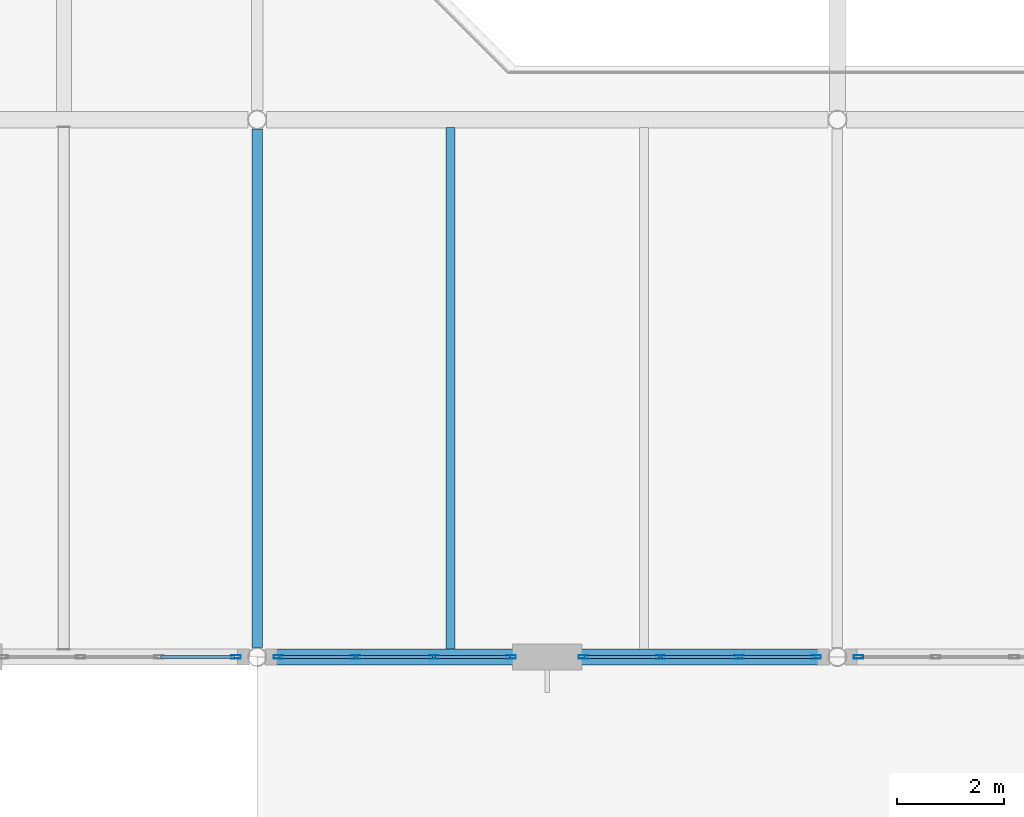
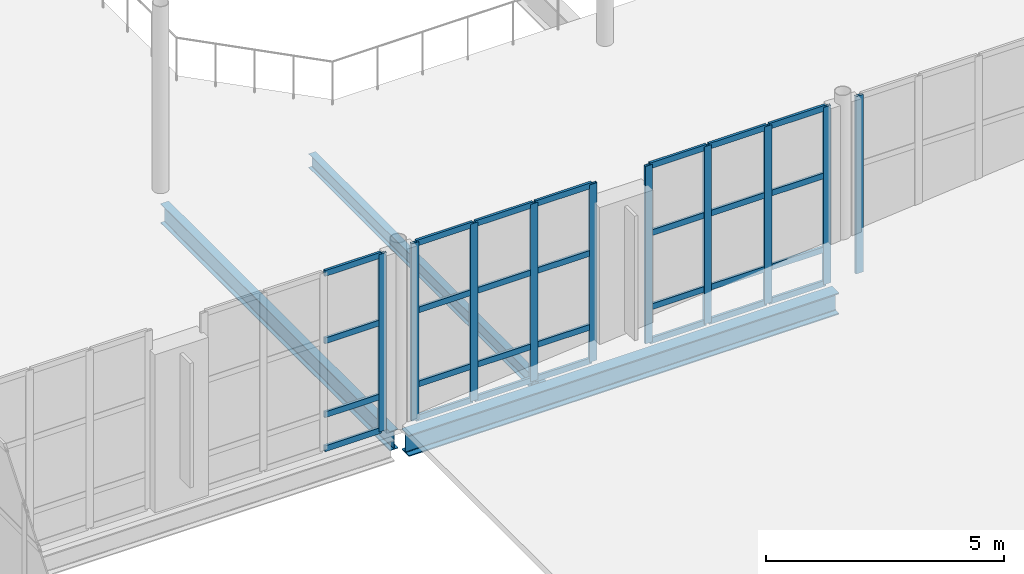
# One storey, part 31 of 92: 38 members, 3 beams, 4 elements without a shape of their own.
"""IFC4 building model written with IfcOpenShell, lengths in metres."""

from ifc_helpers import new_model, si_unit, direction, frame, origin, origin_2d, place, context, subcontext, project, spatial, hollow_rectangle, i_section, extrude, material, layer, layer_set, material_profile, profile_set, type_object, element, aggregate, save


model = new_model("IFC4")

# Units and contexts
model_context = context("Model", 3, precision=1e-05, world=origin(), true_north=direction((0.0, 1.0)))
body_context = subcontext(model_context, "Body", "Model", "MODEL_VIEW")
ifc_project = project(units=[si_unit("LENGTHUNIT", "METRE"), si_unit("AREAUNIT", "SQUARE_METRE"), si_unit("VOLUMEUNIT", "CUBIC_METRE"), si_unit("PLANEANGLEUNIT", "RADIAN"), si_unit("MASSUNIT", "GRAM", prefix="KILO")], contexts=[model_context])

# Site, building, storey
site_placement = place(None, origin())
site = spatial("IfcSite", under=ifc_project, at=site_placement, CompositionType="ELEMENT")
building_placement = place(site_placement, origin())
building = spatial("IfcBuilding", under=site, at=building_placement, Name="Tasgan Crest Museum", CompositionType="ELEMENT")
storey_placement = place(building_placement, frame((0.0, 0.0, 4.800048828125)))
storey = spatial("IfcBuildingStorey", under=building, at=storey_placement, Name="L01", CompositionType="ELEMENT", Elevation=4.800048828125)

# Beams
ifc_material_1 = material(Name="Steel S355K2", Category="steel")
ifc_material_profile_1 = material_profile(ifc_material_1, i_section(OverallWidth=0.300048828125, OverallDepth=0.550048828125, WebThickness=0.014892578125, FlangeThickness=0.029052734375, FilletRadius=0.027099609375, at=origin_2d()), Name="HEB 550")
ifc_profile_set_1 = profile_set([ifc_material_profile_1], Name="Steel S355K2")
beam_type_1 = type_object("IfcBeamType", Name="BM-G-HEB550", PredefinedType="BEAM", material=ifc_profile_set_1)
beam_1_placement = place(storey_placement, frame((64.973876953125, 40.0, -0.51513671875), z_axis=(1.0, 0.0, 0.0), x_axis=(0.0, 1.0, 0.0)))
element("IfcBeam", 1, at=beam_1_placement, inside=storey, type_object=beam_type_1, Name="Girder L01 E 64.8-75.6", PredefinedType="BEAM", context=body_context, shape_type="SweptSolid", body=[
    extrude(i_section(OverallWidth=0.300048828125, OverallDepth=0.550048828125, WebThickness=0.014892578125, FlangeThickness=0.029052734375, FilletRadius=0.027099609375, at=origin_2d()), origin(), (0.0, 0.0, 1.0), 10.452392578125),
])
ifc_material_2 = material(Name="Steel S355J2", Category="steel")
ifc_material_profile_2 = material_profile(ifc_material_2, i_section(OverallWidth=0.199951171875, OverallDepth=0.5, WebThickness=0.01025390625, FlangeThickness=0.01611328125, FilletRadius=0.02099609375, at=origin_2d()), Name="IPE 500")
ifc_profile_set_2 = profile_set([ifc_material_profile_2], Name="Steel S355J2")
beam_type_2 = type_object("IfcBeamType", Name="BM-G-IPE500", PredefinedType="BEAM", material=ifc_profile_set_2)
beam_2_placement = place(storey_placement, frame((64.800048828125, 40.1728515625, -0.489990234375), z_axis=(0.0, 1.0, 0.0), x_axis=(-1.0, 0.0, 0.0)))
element("IfcBeam", 2, at=beam_2_placement, inside=storey, type_object=beam_type_2, Name="Beam L01 7 40.0-50.0", PredefinedType="BEAM", context=body_context, shape_type="SweptSolid", body=[
    extrude(i_section(OverallWidth=0.199951171875, OverallDepth=0.5, WebThickness=0.01025390625, FlangeThickness=0.01611328125, FilletRadius=0.02099609375, at=origin_2d()), origin(), (0.0, 0.0, 1.0), 9.654296875),
])
ifc_material_3 = material(Name="Steel S355J2", Category="steel")
ifc_material_profile_3 = material_profile(ifc_material_3, i_section(OverallWidth=0.169921875, OverallDepth=0.360107421875, WebThickness=0.008056640625, FlangeThickness=0.0126953125, FilletRadius=0.01806640625, at=origin_2d()), Name="IPE 360")
ifc_profile_set_3 = profile_set([ifc_material_profile_3], Name="Steel S355J2")
beam_type_3 = type_object("IfcBeamType", Name="BM-J-IPE360", PredefinedType="JOIST", material=ifc_profile_set_3)
beam_3_placement = place(storey_placement, frame((68.39990234375, 40.14501953125, -0.420166015625), z_axis=(0.0, 1.0, 0.0), x_axis=(-1.0, 0.0, 0.0)))
element("IfcBeam", 3, at=beam_3_placement, inside=storey, type_object=beam_type_3, Name="Secondary joist L01 X=68.4 Y=40.0-50.0", PredefinedType="JOIST", context=body_context, shape_type="SweptSolid", body=[
    extrude(i_section(OverallWidth=0.169921875, OverallDepth=0.360107421875, WebThickness=0.008056640625, FlangeThickness=0.0126953125, FilletRadius=0.01806640625, at=origin_2d()), origin(), (0.0, 0.0, 1.0), 9.7099609375),
])

# Curtain wall, member
ifc_material_4 = material(Name="Triple-Glazed Aluminium Curtain Wall", Category="aluminium")
ifc_layer = layer(ifc_material_4, 0.179931640625, Name="CW-DRUM-X-48")
ifc_layer_set = layer_set([ifc_layer], Name="Triple-Glazed Aluminium Curtain Wall")
curtain_wall_type = type_object("IfcCurtainWallType", Name="CW-DRUM-X-48", PredefinedType="NOTDEFINED", material=ifc_layer_set)
curtain_wall_1_placement = place(storey_placement, origin())
curtain_wall_1 = element("IfcCurtainWall", 4, at=curtain_wall_1_placement, inside=storey, type_object=curtain_wall_type, Name="Curtain wall L01 028", PredefinedType="NOTDEFINED")
ifc_material_5 = material(Name="Anodised Aluminium", Category="aluminium")
ifc_material_profile_4 = material_profile(ifc_material_5, hollow_rectangle(XDim=0.06494140625, YDim=0.179931640625, WallThickness=0.0048828125, at=origin_2d()), Name="ALU MULLION 180x65x5")
ifc_profile_set_4 = profile_set([ifc_material_profile_4], Name="Anodised Aluminium")
member_type_1 = type_object("IfcMemberType", Name="CW-MULLION-180", PredefinedType="MULLION", material=ifc_profile_set_4)
member_1_placement = place(storey_placement, frame((64.405029296875, 40.0, 0.0), z_axis=(0.0, 0.0, 1.0), x_axis=(0.0, 1.0, 0.0)))
member_1 = element("IfcMember", 5, at=member_1_placement, type_object=member_type_1, Name="CW03 mullion 4", PredefinedType="MULLION", context=body_context, shape_type="SweptSolid", body=[
    extrude(hollow_rectangle(XDim=0.06494140625, YDim=0.179931640625, WallThickness=0.0048828125, at=origin_2d()), origin(), (0.0, 0.0, 1.0), 4.56005859375),
])

# Curtain wall, members
curtain_wall_2_placement = place(storey_placement, origin())
curtain_wall_2 = element("IfcCurtainWall", 6, at=curtain_wall_2_placement, inside=storey, type_object=curtain_wall_type, Name="Curtain wall L01 029", PredefinedType="NOTDEFINED")
member_2_placement = place(storey_placement, frame((65.195068359375, 40.0, 0.0), z_axis=(0.0, 0.0, 1.0), x_axis=(0.0, 1.0, 0.0)))
member_2 = element("IfcMember", 7, at=member_2_placement, type_object=member_type_1, Name="CW03 mullion 1", PredefinedType="MULLION", context=body_context, shape_type="SweptSolid", body=[
    extrude(hollow_rectangle(XDim=0.06494140625, YDim=0.179931640625, WallThickness=0.0048828125, at=origin_2d()), origin(), (0.0, 0.0, 1.0), 4.56005859375),
])
member_3_placement = place(storey_placement, frame((66.62841796875, 40.0, 0.0), z_axis=(0.0, 0.0, 1.0), x_axis=(0.0, 1.0, 0.0)))
member_3 = element("IfcMember", 8, at=member_3_placement, type_object=member_type_1, Name="CW03 mullion 2", PredefinedType="MULLION", context=body_context, shape_type="SweptSolid", body=[
    extrude(hollow_rectangle(XDim=0.06494140625, YDim=0.179931640625, WallThickness=0.0048828125, at=origin_2d()), origin(), (0.0, 0.0, 1.0), 4.56005859375),
])
member_4_placement = place(storey_placement, frame((68.091552734375, 40.0, 0.0), z_axis=(0.0, 0.0, 1.0), x_axis=(0.0, 1.0, 0.0)))
member_4 = element("IfcMember", 9, at=member_4_placement, type_object=member_type_1, Name="CW03 mullion 3", PredefinedType="MULLION", context=body_context, shape_type="SweptSolid", body=[
    extrude(hollow_rectangle(XDim=0.06494140625, YDim=0.179931640625, WallThickness=0.0048828125, at=origin_2d()), origin(), (0.0, 0.0, 1.0), 4.56005859375),
])
member_5_placement = place(storey_placement, frame((69.52490234375, 40.0, 0.0), z_axis=(0.0, 0.0, 1.0), x_axis=(0.0, 1.0, 0.0)))
member_5 = element("IfcMember", 10, at=member_5_placement, type_object=member_type_1, Name="CW03 mullion 4", PredefinedType="MULLION", context=body_context, shape_type="SweptSolid", body=[
    extrude(hollow_rectangle(XDim=0.06494140625, YDim=0.179931640625, WallThickness=0.0048828125, at=origin_2d()), origin(), (0.0, 0.0, 1.0), 4.56005859375),
])

curtain_wall_3_placement = place(storey_placement, origin())
curtain_wall_3 = element("IfcCurtainWall", 11, at=curtain_wall_3_placement, inside=storey, type_object=curtain_wall_type, Name="Curtain wall L01 030", PredefinedType="NOTDEFINED")
member_6_placement = place(storey_placement, frame((70.875, 40.0, 0.0), z_axis=(0.0, 0.0, 1.0), x_axis=(0.0, 1.0, 0.0)))
member_6 = element("IfcMember", 12, at=member_6_placement, type_object=member_type_1, Name="CW03 mullion 1", PredefinedType="MULLION", context=body_context, shape_type="SweptSolid", body=[
    extrude(hollow_rectangle(XDim=0.06494140625, YDim=0.179931640625, WallThickness=0.0048828125, at=origin_2d()), origin(), (0.0, 0.0, 1.0), 4.56005859375),
])
member_7_placement = place(storey_placement, frame((72.308349609375, 40.0, 0.0), z_axis=(0.0, 0.0, 1.0), x_axis=(0.0, 1.0, 0.0)))
member_7 = element("IfcMember", 13, at=member_7_placement, type_object=member_type_1, Name="CW03 mullion 2", PredefinedType="MULLION", context=body_context, shape_type="SweptSolid", body=[
    extrude(hollow_rectangle(XDim=0.06494140625, YDim=0.179931640625, WallThickness=0.0048828125, at=origin_2d()), origin(), (0.0, 0.0, 1.0), 4.56005859375),
])
member_8_placement = place(storey_placement, frame((73.771728515625, 40.0, 0.0), z_axis=(0.0, 0.0, 1.0), x_axis=(0.0, 1.0, 0.0)))
member_8 = element("IfcMember", 14, at=member_8_placement, type_object=member_type_1, Name="CW03 mullion 3", PredefinedType="MULLION", context=body_context, shape_type="SweptSolid", body=[
    extrude(hollow_rectangle(XDim=0.06494140625, YDim=0.179931640625, WallThickness=0.0048828125, at=origin_2d()), origin(), (0.0, 0.0, 1.0), 4.56005859375),
])
member_9_placement = place(storey_placement, frame((75.205078125, 40.0, 0.0), z_axis=(0.0, 0.0, 1.0), x_axis=(0.0, 1.0, 0.0)))
member_9 = element("IfcMember", 15, at=member_9_placement, type_object=member_type_1, Name="CW03 mullion 4", PredefinedType="MULLION", context=body_context, shape_type="SweptSolid", body=[
    extrude(hollow_rectangle(XDim=0.06494140625, YDim=0.179931640625, WallThickness=0.0048828125, at=origin_2d()), origin(), (0.0, 0.0, 1.0), 4.56005859375),
])

# Curtain wall, member
curtain_wall_4_placement = place(storey_placement, origin())
curtain_wall_4 = element("IfcCurtainWall", 16, at=curtain_wall_4_placement, inside=storey, type_object=curtain_wall_type, Name="Curtain wall L01 031", PredefinedType="NOTDEFINED")
member_10_placement = place(storey_placement, frame((75.9951171875, 40.0, 0.0), z_axis=(0.0, 0.0, 1.0), x_axis=(0.0, 1.0, 0.0)))
member_10 = element("IfcMember", 17, at=member_10_placement, type_object=member_type_1, Name="CW03 mullion 1", PredefinedType="MULLION", context=body_context, shape_type="SweptSolid", body=[
    extrude(hollow_rectangle(XDim=0.06494140625, YDim=0.179931640625, WallThickness=0.0048828125, at=origin_2d()), origin(), (0.0, 0.0, 1.0), 4.56005859375),
])
aggregate(curtain_wall_4, [member_10])

# Member
ifc_material_6 = material(Name="Anodised Aluminium", Category="aluminium")
ifc_material_profile_5 = material_profile(ifc_material_6, hollow_rectangle(XDim=0.06005859375, YDim=0.14990234375, WallThickness=0.0048828125, at=origin_2d()), Name="ALU TRANSOM 150x60x5")
ifc_profile_set_5 = profile_set([ifc_material_profile_5], Name="Anodised Aluminium")
member_type_2 = type_object("IfcMemberType", Name="CW-TRANSOM-150", PredefinedType="USERDEFINED", material=ifc_profile_set_5)
member_11_placement = place(storey_placement, frame((63.001708984375, 40.0, 0.030029296875), z_axis=(1.0, 0.0, 0.0), x_axis=(0.0, 1.0, 0.0)))
member_11 = element("IfcMember", 18, at=member_11_placement, type_object=member_type_2, Name="CW03 transom 3.1", ObjectType="TRANSOM", PredefinedType="USERDEFINED", context=body_context, shape_type="SweptSolid", body=[
    extrude(hollow_rectangle(XDim=0.06005859375, YDim=0.14990234375, WallThickness=0.0048828125, at=origin_2d()), origin(), (0.0, 0.0, 1.0), 1.373291015625),
])

member_12_placement = place(storey_placement, frame((63.001708984375, 40.0, 0.89990234375), z_axis=(1.0, 0.0, 0.0), x_axis=(0.0, 1.0, 0.0)))
member_12 = element("IfcMember", 19, at=member_12_placement, type_object=member_type_2, Name="CW03 transom 3.2", ObjectType="TRANSOM", PredefinedType="USERDEFINED", context=body_context, shape_type="SweptSolid", body=[
    extrude(hollow_rectangle(XDim=0.06005859375, YDim=0.14990234375, WallThickness=0.0048828125, at=origin_2d()), origin(), (0.0, 0.0, 1.0), 1.373291015625),
])

member_13_placement = place(storey_placement, frame((63.001708984375, 40.0, 2.800048828125), z_axis=(1.0, 0.0, 0.0), x_axis=(0.0, 1.0, 0.0)))
member_13 = element("IfcMember", 20, at=member_13_placement, type_object=member_type_2, Name="CW03 transom 3.3", ObjectType="TRANSOM", PredefinedType="USERDEFINED", context=body_context, shape_type="SweptSolid", body=[
    extrude(hollow_rectangle(XDim=0.06005859375, YDim=0.14990234375, WallThickness=0.0048828125, at=origin_2d()), origin(), (0.0, 0.0, 1.0), 1.373291015625),
])

member_14_placement = place(storey_placement, frame((63.001708984375, 40.0, 4.530029296875), z_axis=(1.0, 0.0, 0.0), x_axis=(0.0, 1.0, 0.0)))
member_14 = element("IfcMember", 21, at=member_14_placement, type_object=member_type_2, Name="CW03 transom 3.4", ObjectType="TRANSOM", PredefinedType="USERDEFINED", context=body_context, shape_type="SweptSolid", body=[
    extrude(hollow_rectangle(XDim=0.06005859375, YDim=0.14990234375, WallThickness=0.0048828125, at=origin_2d()), origin(), (0.0, 0.0, 1.0), 1.373291015625),
])

aggregate(curtain_wall_1, [member_1, member_11, member_12, member_13, member_14])

member_15_placement = place(storey_placement, frame((65.22509765625, 40.0, 0.030029296875), z_axis=(1.0, 0.0, 0.0), x_axis=(0.0, 1.0, 0.0)))
member_15 = element("IfcMember", 22, at=member_15_placement, type_object=member_type_2, Name="CW03 transom 1.1", ObjectType="TRANSOM", PredefinedType="USERDEFINED", context=body_context, shape_type="SweptSolid", body=[
    extrude(hollow_rectangle(XDim=0.06005859375, YDim=0.14990234375, WallThickness=0.0048828125, at=origin_2d()), origin(), (0.0, 0.0, 1.0), 1.373291015625),
])

member_16_placement = place(storey_placement, frame((65.22509765625, 40.0, 0.89990234375), z_axis=(1.0, 0.0, 0.0), x_axis=(0.0, 1.0, 0.0)))
member_16 = element("IfcMember", 23, at=member_16_placement, type_object=member_type_2, Name="CW03 transom 1.2", ObjectType="TRANSOM", PredefinedType="USERDEFINED", context=body_context, shape_type="SweptSolid", body=[
    extrude(hollow_rectangle(XDim=0.06005859375, YDim=0.14990234375, WallThickness=0.0048828125, at=origin_2d()), origin(), (0.0, 0.0, 1.0), 1.373291015625),
])

member_17_placement = place(storey_placement, frame((65.22509765625, 40.0, 2.800048828125), z_axis=(1.0, 0.0, 0.0), x_axis=(0.0, 1.0, 0.0)))
member_17 = element("IfcMember", 24, at=member_17_placement, type_object=member_type_2, Name="CW03 transom 1.3", ObjectType="TRANSOM", PredefinedType="USERDEFINED", context=body_context, shape_type="SweptSolid", body=[
    extrude(hollow_rectangle(XDim=0.06005859375, YDim=0.14990234375, WallThickness=0.0048828125, at=origin_2d()), origin(), (0.0, 0.0, 1.0), 1.373291015625),
])

member_18_placement = place(storey_placement, frame((65.22509765625, 40.0, 4.530029296875), z_axis=(1.0, 0.0, 0.0), x_axis=(0.0, 1.0, 0.0)))
member_18 = element("IfcMember", 25, at=member_18_placement, type_object=member_type_2, Name="CW03 transom 1.4", ObjectType="TRANSOM", PredefinedType="USERDEFINED", context=body_context, shape_type="SweptSolid", body=[
    extrude(hollow_rectangle(XDim=0.06005859375, YDim=0.14990234375, WallThickness=0.0048828125, at=origin_2d()), origin(), (0.0, 0.0, 1.0), 1.373291015625),
])

member_19_placement = place(storey_placement, frame((66.658447265625, 40.0, 0.030029296875), z_axis=(1.0, 0.0, 0.0), x_axis=(0.0, 1.0, 0.0)))
member_19 = element("IfcMember", 26, at=member_19_placement, type_object=member_type_2, Name="CW03 transom 2.1", ObjectType="TRANSOM", PredefinedType="USERDEFINED", context=body_context, shape_type="SweptSolid", body=[
    extrude(hollow_rectangle(XDim=0.06005859375, YDim=0.14990234375, WallThickness=0.0048828125, at=origin_2d()), origin(), (0.0, 0.0, 1.0), 1.4033203125),
])

member_20_placement = place(storey_placement, frame((66.658447265625, 40.0, 0.89990234375), z_axis=(1.0, 0.0, 0.0), x_axis=(0.0, 1.0, 0.0)))
member_20 = element("IfcMember", 27, at=member_20_placement, type_object=member_type_2, Name="CW03 transom 2.2", ObjectType="TRANSOM", PredefinedType="USERDEFINED", context=body_context, shape_type="SweptSolid", body=[
    extrude(hollow_rectangle(XDim=0.06005859375, YDim=0.14990234375, WallThickness=0.0048828125, at=origin_2d()), origin(), (0.0, 0.0, 1.0), 1.4033203125),
])

member_21_placement = place(storey_placement, frame((66.658447265625, 40.0, 2.800048828125), z_axis=(1.0, 0.0, 0.0), x_axis=(0.0, 1.0, 0.0)))
member_21 = element("IfcMember", 28, at=member_21_placement, type_object=member_type_2, Name="CW03 transom 2.3", ObjectType="TRANSOM", PredefinedType="USERDEFINED", context=body_context, shape_type="SweptSolid", body=[
    extrude(hollow_rectangle(XDim=0.06005859375, YDim=0.14990234375, WallThickness=0.0048828125, at=origin_2d()), origin(), (0.0, 0.0, 1.0), 1.4033203125),
])

member_22_placement = place(storey_placement, frame((66.658447265625, 40.0, 4.530029296875), z_axis=(1.0, 0.0, 0.0), x_axis=(0.0, 1.0, 0.0)))
member_22 = element("IfcMember", 29, at=member_22_placement, type_object=member_type_2, Name="CW03 transom 2.4", ObjectType="TRANSOM", PredefinedType="USERDEFINED", context=body_context, shape_type="SweptSolid", body=[
    extrude(hollow_rectangle(XDim=0.06005859375, YDim=0.14990234375, WallThickness=0.0048828125, at=origin_2d()), origin(), (0.0, 0.0, 1.0), 1.4033203125),
])

member_23_placement = place(storey_placement, frame((68.12158203125, 40.0, 0.030029296875), z_axis=(1.0, 0.0, 0.0), x_axis=(0.0, 1.0, 0.0)))
member_23 = element("IfcMember", 30, at=member_23_placement, type_object=member_type_2, Name="CW03 transom 3.1", ObjectType="TRANSOM", PredefinedType="USERDEFINED", context=body_context, shape_type="SweptSolid", body=[
    extrude(hollow_rectangle(XDim=0.06005859375, YDim=0.14990234375, WallThickness=0.0048828125, at=origin_2d()), origin(), (0.0, 0.0, 1.0), 1.37353515625),
])

member_24_placement = place(storey_placement, frame((68.12158203125, 40.0, 0.89990234375), z_axis=(1.0, 0.0, 0.0), x_axis=(0.0, 1.0, 0.0)))
member_24 = element("IfcMember", 31, at=member_24_placement, type_object=member_type_2, Name="CW03 transom 3.2", ObjectType="TRANSOM", PredefinedType="USERDEFINED", context=body_context, shape_type="SweptSolid", body=[
    extrude(hollow_rectangle(XDim=0.06005859375, YDim=0.14990234375, WallThickness=0.0048828125, at=origin_2d()), origin(), (0.0, 0.0, 1.0), 1.37353515625),
])

member_25_placement = place(storey_placement, frame((68.12158203125, 40.0, 2.800048828125), z_axis=(1.0, 0.0, 0.0), x_axis=(0.0, 1.0, 0.0)))
member_25 = element("IfcMember", 32, at=member_25_placement, type_object=member_type_2, Name="CW03 transom 3.3", ObjectType="TRANSOM", PredefinedType="USERDEFINED", context=body_context, shape_type="SweptSolid", body=[
    extrude(hollow_rectangle(XDim=0.06005859375, YDim=0.14990234375, WallThickness=0.0048828125, at=origin_2d()), origin(), (0.0, 0.0, 1.0), 1.37353515625),
])

member_26_placement = place(storey_placement, frame((68.12158203125, 40.0, 4.530029296875), z_axis=(1.0, 0.0, 0.0), x_axis=(0.0, 1.0, 0.0)))
member_26 = element("IfcMember", 33, at=member_26_placement, type_object=member_type_2, Name="CW03 transom 3.4", ObjectType="TRANSOM", PredefinedType="USERDEFINED", context=body_context, shape_type="SweptSolid", body=[
    extrude(hollow_rectangle(XDim=0.06005859375, YDim=0.14990234375, WallThickness=0.0048828125, at=origin_2d()), origin(), (0.0, 0.0, 1.0), 1.37353515625),
])

aggregate(curtain_wall_2, [member_2, member_3, member_4, member_5, member_15, member_16, member_17, member_18, member_19, member_20, member_21, member_22, member_23, member_24, member_25, member_26])

member_27_placement = place(storey_placement, frame((70.905029296875, 40.0, 0.030029296875), z_axis=(1.0, 0.0, 0.0), x_axis=(0.0, 1.0, 0.0)))
member_27 = element("IfcMember", 34, at=member_27_placement, type_object=member_type_2, Name="CW03 transom 1.1", ObjectType="TRANSOM", PredefinedType="USERDEFINED", context=body_context, shape_type="SweptSolid", body=[
    extrude(hollow_rectangle(XDim=0.06005859375, YDim=0.14990234375, WallThickness=0.0048828125, at=origin_2d()), origin(), (0.0, 0.0, 1.0), 1.373291015625),
])

member_28_placement = place(storey_placement, frame((70.905029296875, 40.0, 0.89990234375), z_axis=(1.0, 0.0, 0.0), x_axis=(0.0, 1.0, 0.0)))
member_28 = element("IfcMember", 35, at=member_28_placement, type_object=member_type_2, Name="CW03 transom 1.2", ObjectType="TRANSOM", PredefinedType="USERDEFINED", context=body_context, shape_type="SweptSolid", body=[
    extrude(hollow_rectangle(XDim=0.06005859375, YDim=0.14990234375, WallThickness=0.0048828125, at=origin_2d()), origin(), (0.0, 0.0, 1.0), 1.373291015625),
])

member_29_placement = place(storey_placement, frame((70.905029296875, 40.0, 2.800048828125), z_axis=(1.0, 0.0, 0.0), x_axis=(0.0, 1.0, 0.0)))
member_29 = element("IfcMember", 36, at=member_29_placement, type_object=member_type_2, Name="CW03 transom 1.3", ObjectType="TRANSOM", PredefinedType="USERDEFINED", context=body_context, shape_type="SweptSolid", body=[
    extrude(hollow_rectangle(XDim=0.06005859375, YDim=0.14990234375, WallThickness=0.0048828125, at=origin_2d()), origin(), (0.0, 0.0, 1.0), 1.373291015625),
])

member_30_placement = place(storey_placement, frame((70.905029296875, 40.0, 4.530029296875), z_axis=(1.0, 0.0, 0.0), x_axis=(0.0, 1.0, 0.0)))
member_30 = element("IfcMember", 37, at=member_30_placement, type_object=member_type_2, Name="CW03 transom 1.4", ObjectType="TRANSOM", PredefinedType="USERDEFINED", context=body_context, shape_type="SweptSolid", body=[
    extrude(hollow_rectangle(XDim=0.06005859375, YDim=0.14990234375, WallThickness=0.0048828125, at=origin_2d()), origin(), (0.0, 0.0, 1.0), 1.373291015625),
])

member_31_placement = place(storey_placement, frame((72.33837890625, 40.0, 0.030029296875), z_axis=(1.0, 0.0, 0.0), x_axis=(0.0, 1.0, 0.0)))
member_31 = element("IfcMember", 38, at=member_31_placement, type_object=member_type_2, Name="CW03 transom 2.1", ObjectType="TRANSOM", PredefinedType="USERDEFINED", context=body_context, shape_type="SweptSolid", body=[
    extrude(hollow_rectangle(XDim=0.06005859375, YDim=0.14990234375, WallThickness=0.0048828125, at=origin_2d()), origin(), (0.0, 0.0, 1.0), 1.4033203125),
])

member_32_placement = place(storey_placement, frame((72.33837890625, 40.0, 0.89990234375), z_axis=(1.0, 0.0, 0.0), x_axis=(0.0, 1.0, 0.0)))
member_32 = element("IfcMember", 39, at=member_32_placement, type_object=member_type_2, Name="CW03 transom 2.2", ObjectType="TRANSOM", PredefinedType="USERDEFINED", context=body_context, shape_type="SweptSolid", body=[
    extrude(hollow_rectangle(XDim=0.06005859375, YDim=0.14990234375, WallThickness=0.0048828125, at=origin_2d()), origin(), (0.0, 0.0, 1.0), 1.4033203125),
])

member_33_placement = place(storey_placement, frame((72.33837890625, 40.0, 2.800048828125), z_axis=(1.0, 0.0, 0.0), x_axis=(0.0, 1.0, 0.0)))
member_33 = element("IfcMember", 40, at=member_33_placement, type_object=member_type_2, Name="CW03 transom 2.3", ObjectType="TRANSOM", PredefinedType="USERDEFINED", context=body_context, shape_type="SweptSolid", body=[
    extrude(hollow_rectangle(XDim=0.06005859375, YDim=0.14990234375, WallThickness=0.0048828125, at=origin_2d()), origin(), (0.0, 0.0, 1.0), 1.4033203125),
])

member_34_placement = place(storey_placement, frame((72.33837890625, 40.0, 4.530029296875), z_axis=(1.0, 0.0, 0.0), x_axis=(0.0, 1.0, 0.0)))
member_34 = element("IfcMember", 41, at=member_34_placement, type_object=member_type_2, Name="CW03 transom 2.4", ObjectType="TRANSOM", PredefinedType="USERDEFINED", context=body_context, shape_type="SweptSolid", body=[
    extrude(hollow_rectangle(XDim=0.06005859375, YDim=0.14990234375, WallThickness=0.0048828125, at=origin_2d()), origin(), (0.0, 0.0, 1.0), 1.4033203125),
])

member_35_placement = place(storey_placement, frame((73.8017578125, 40.0, 0.030029296875), z_axis=(1.0, 0.0, 0.0), x_axis=(0.0, 1.0, 0.0)))
member_35 = element("IfcMember", 42, at=member_35_placement, type_object=member_type_2, Name="CW03 transom 3.1", ObjectType="TRANSOM", PredefinedType="USERDEFINED", context=body_context, shape_type="SweptSolid", body=[
    extrude(hollow_rectangle(XDim=0.06005859375, YDim=0.14990234375, WallThickness=0.0048828125, at=origin_2d()), origin(), (0.0, 0.0, 1.0), 1.373291015625),
])

member_36_placement = place(storey_placement, frame((73.8017578125, 40.0, 0.89990234375), z_axis=(1.0, 0.0, 0.0), x_axis=(0.0, 1.0, 0.0)))
member_36 = element("IfcMember", 43, at=member_36_placement, type_object=member_type_2, Name="CW03 transom 3.2", ObjectType="TRANSOM", PredefinedType="USERDEFINED", context=body_context, shape_type="SweptSolid", body=[
    extrude(hollow_rectangle(XDim=0.06005859375, YDim=0.14990234375, WallThickness=0.0048828125, at=origin_2d()), origin(), (0.0, 0.0, 1.0), 1.373291015625),
])

member_37_placement = place(storey_placement, frame((73.8017578125, 40.0, 2.800048828125), z_axis=(1.0, 0.0, 0.0), x_axis=(0.0, 1.0, 0.0)))
member_37 = element("IfcMember", 44, at=member_37_placement, type_object=member_type_2, Name="CW03 transom 3.3", ObjectType="TRANSOM", PredefinedType="USERDEFINED", context=body_context, shape_type="SweptSolid", body=[
    extrude(hollow_rectangle(XDim=0.06005859375, YDim=0.14990234375, WallThickness=0.0048828125, at=origin_2d()), origin(), (0.0, 0.0, 1.0), 1.373291015625),
])

member_38_placement = place(storey_placement, frame((73.8017578125, 40.0, 4.530029296875), z_axis=(1.0, 0.0, 0.0), x_axis=(0.0, 1.0, 0.0)))
member_38 = element("IfcMember", 45, at=member_38_placement, type_object=member_type_2, Name="CW03 transom 3.4", ObjectType="TRANSOM", PredefinedType="USERDEFINED", context=body_context, shape_type="SweptSolid", body=[
    extrude(hollow_rectangle(XDim=0.06005859375, YDim=0.14990234375, WallThickness=0.0048828125, at=origin_2d()), origin(), (0.0, 0.0, 1.0), 1.373291015625),
])

aggregate(curtain_wall_3, [member_6, member_7, member_8, member_9, member_27, member_28, member_29, member_30, member_31, member_32, member_33, member_34, member_35, member_36, member_37, member_38])

save(model, "model.ifc")
